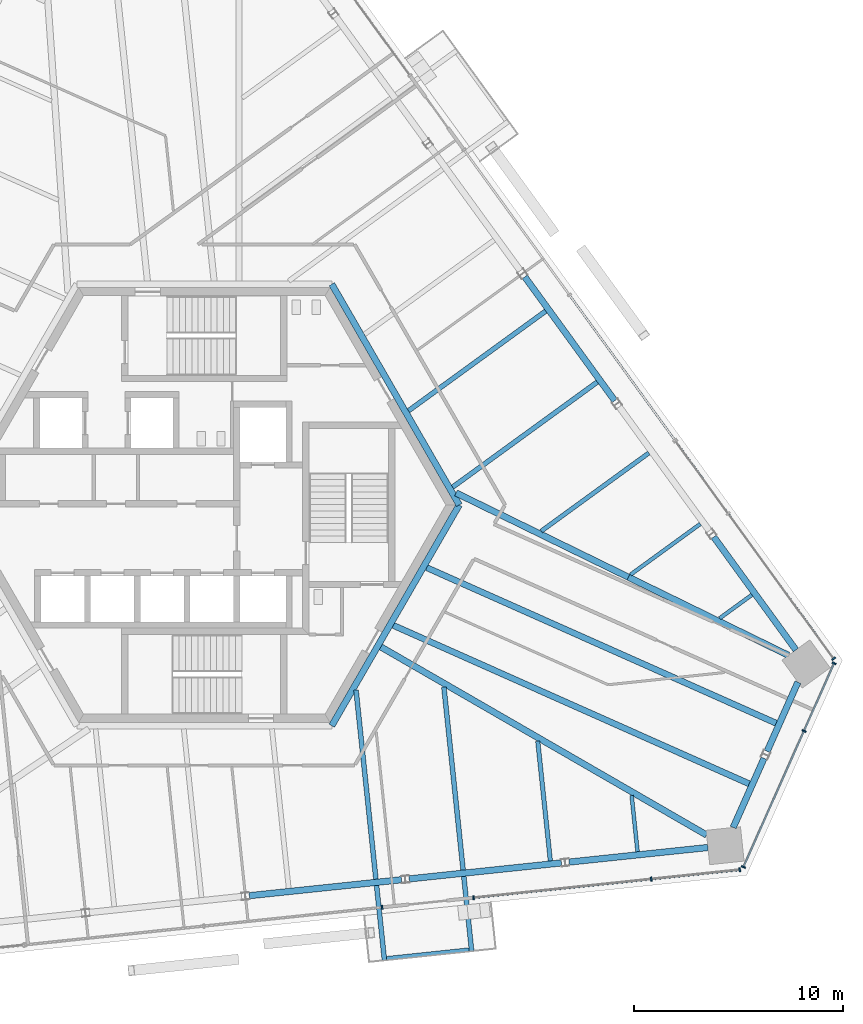
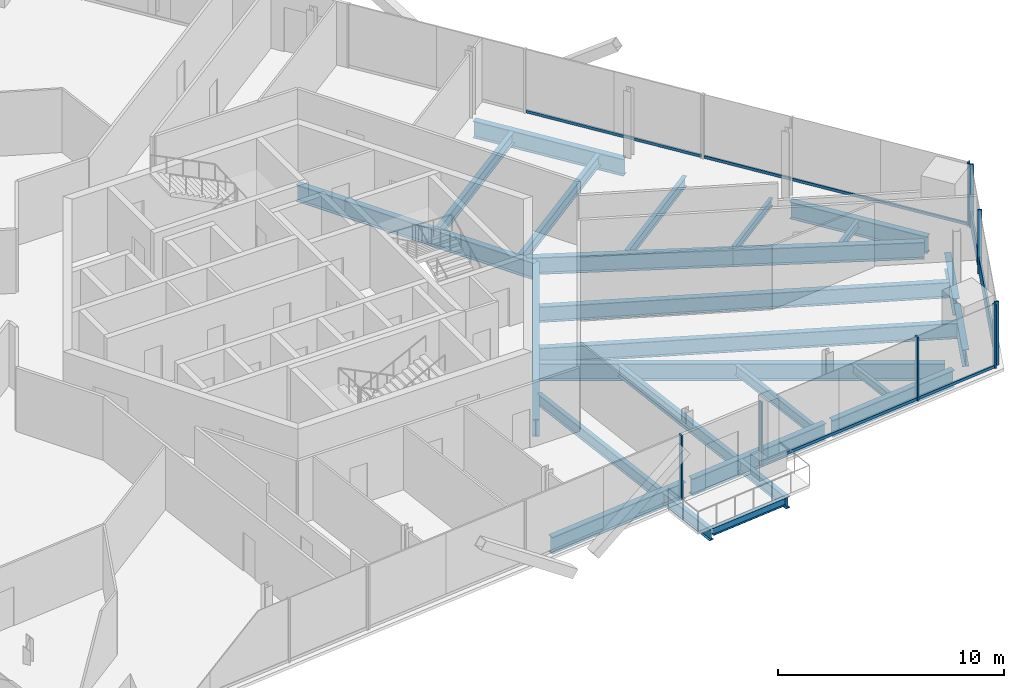
# One storey, part 6 of 18: 26 beams, 15 members, 5 elements without a shape of their own.
"""IFC4 building model written with IfcOpenShell, lengths in metres."""

from ifc_helpers import new_model, si_unit, direction, frame, origin, origin_2d, place, context, subcontext, project, spatial, rectangle, i_section, extrude, source, transform, mapped, material, material_profile, profile_set, type_object, element, aggregate, save


model = new_model("IFC4")

# Units and contexts
model_context = context("Model", 3, precision=1e-05, world=origin(), true_north=direction((0.0, 1.0)))
body_context = subcontext(model_context, "Body", "Model", "MODEL_VIEW")
ifc_project = project(units=[si_unit("LENGTHUNIT", "METRE"), si_unit("AREAUNIT", "SQUARE_METRE"), si_unit("VOLUMEUNIT", "CUBIC_METRE"), si_unit("PLANEANGLEUNIT", "RADIAN"), si_unit("MASSUNIT", "GRAM", prefix="KILO")], contexts=[model_context])

# Site, building, storey
site_placement = place(None, origin())
site = spatial("IfcSite", under=ifc_project, at=site_placement, CompositionType="ELEMENT")
building_placement = place(site_placement, origin())
building = spatial("IfcBuilding", under=site, at=building_placement, Name="Triune Harvest Tower", CompositionType="ELEMENT")
storey_placement = place(building_placement, frame((0.0, 0.0, 237.699951171875)))
storey = spatial("IfcBuildingStorey", under=building, at=storey_placement, Name="L62", CompositionType="ELEMENT", Elevation=237.699951171875)

# Beams
ifc_material_1 = material(Name="Steel ASTM A992 Gr 50", Category="steel")
ifc_material_profile_1 = material_profile(ifc_material_1, i_section(OverallWidth=0.180908203125, OverallDepth=0.41650390625, WebThickness=0.010986328125, FlangeThickness=0.01806640625, at=origin_2d()), Name="W16x57")
ifc_profile_set_1 = profile_set([ifc_material_profile_1], Name="Steel ASTM A992 Gr 50")
beam_type_1 = type_object("IfcBeamType", Name="BE-1 balcony edge beam W16x57", PredefinedType="BEAM", material=ifc_profile_set_1)
beam_1_placement = place(storey_placement, frame((8.708984375, -21.65576171875, -0.3681640625), z_axis=(0.994524692105, 0.104501850668, 0.0), x_axis=(-0.104501850668, 0.994524692105, 0.0)))
element("IfcBeam", 1, at=beam_1_placement, inside=storey, type_object=beam_type_1, Name="Balcony edge beam B6-F5 L62.8", PredefinedType="BEAM", context=body_context, shape_type="SweptSolid", body=[
    extrude(i_section(OverallWidth=0.180908203125, OverallDepth=0.41650390625, WebThickness=0.010986328125, FlangeThickness=0.01806640625, at=origin_2d()), origin(), (0.0, 0.0, 1.0), 3.9599609375),
])
ifc_material_2 = material(Name="Steel ASTM A992 Gr 50", Category="steel")
ifc_material_profile_2 = material_profile(ifc_material_2, i_section(OverallWidth=0.3046875, OverallDepth=0.914306640625, WebThickness=0.0166015625, FlangeThickness=0.02587890625, at=origin_2d()), Name="W36x160")
ifc_profile_set_2 = profile_set([ifc_material_profile_2], Name="Steel ASTM A992 Gr 50")
beam_type_2 = type_object("IfcBeamType", Name="CG-1 Core ring girder W36x160", PredefinedType="BEAM", material=ifc_profile_set_2)
shared_shape_1 = source(origin(), body_context, "Body", "SweptSolid", [
    extrude(i_section(OverallWidth=0.3046875, OverallDepth=0.914306640625, WebThickness=0.0166015625, FlangeThickness=0.02587890625, at=origin_2d()), origin(), (0.0, 0.0, 1.0), 12.176025390625),
])
for number, where, z_axis, x_axis, name in (
    (2, (12.176025390625, 0.0, -0.6171875), (-0.5000099932, 0.866019634131, 0.0), (-0.866019634131, -0.5000099932, 0.0), "beam/L62/CG1"),
    (3, (6.087890625, -10.544677734375, -0.6171875), (0.5000099932, 0.866019634131, 0.0), (-0.866019634131, 0.5000099932, 0.0), "beam/L62/CG6"),
):
    element("IfcBeam", number, at=place(storey_placement, frame(where, z_axis=z_axis, x_axis=x_axis)), inside=storey, type_object=beam_type_2, Name=name, PredefinedType="BEAM", context=body_context, shape_type="MappedRepresentation", body=[
        mapped(shared_shape_1, transform((0.0, 0.0, 0.0), scale=1.0)),
    ])
ifc_material_3 = material(Name="Steel ASTM A992 Gr 50", Category="steel")
ifc_material_profile_3 = material_profile(ifc_material_3, i_section(OverallWidth=0.3046875, OverallDepth=0.914306640625, WebThickness=0.0166015625, FlangeThickness=0.02587890625, at=origin_2d()), Name="W36x160")
ifc_profile_set_3 = profile_set([ifc_material_profile_3], Name="Steel ASTM A992 Gr 50")
beam_type_3 = type_object("IfcBeamType", Name="HG-3 Hip girder W36x160", PredefinedType="BEAM", material=ifc_profile_set_3)
shared_shape_2 = source(origin(), body_context, "Body", "SweptSolid", [
    extrude(i_section(OverallWidth=0.3046875, OverallDepth=0.914306640625, WebThickness=0.0166015625, FlangeThickness=0.02587890625, at=origin_2d()), origin(), (0.0, 0.0, 1.0), 9.168212890625),
])
beam_2_placement = place(storey_placement, frame((20.2587890625, -3.451171875, -0.6171875), z_axis=(-0.898521846145, 0.438928800605, 0.0), x_axis=(-0.438928800605, -0.898521846145, 0.0)))
element("IfcBeam", 4, at=beam_2_placement, inside=storey, type_object=beam_type_3, Name="beam/L62/HG2", PredefinedType="BEAM", context=body_context, shape_type="MappedRepresentation", body=[
    mapped(shared_shape_2, transform((0.0, 0.0, 0.0), scale=1.0)),
])
ifc_material_4 = material(Name="Steel ASTM A992 Gr 50", Category="steel")
ifc_material_profile_4 = material_profile(ifc_material_4, i_section(OverallWidth=0.3046875, OverallDepth=0.914306640625, WebThickness=0.0166015625, FlangeThickness=0.02587890625, at=origin_2d()), Name="W36x160")
ifc_profile_set_4 = profile_set([ifc_material_profile_4], Name="Steel ASTM A992 Gr 50")
beam_type_4 = type_object("IfcBeamType", Name="SB-1 Spandrel beam W36x160", PredefinedType="SPANDREL", material=ifc_profile_set_4)
shared_shape_3 = source(origin(), body_context, "Body", "SweptSolid", [
    extrude(i_section(OverallWidth=0.3046875, OverallDepth=0.914306640625, WebThickness=0.0166015625, FlangeThickness=0.02587890625, at=origin_2d()), origin(), (0.0, 0.0, 1.0), 6.67041015625),
])
for number, where, z_axis, x_axis, name in (
    (5, (28.256591796875, -6.927734375, -0.6171875), (-0.587797324645, 0.80900822316, 0.0), (-0.80900822316, -0.587797324645, 0.0), "beam/L62/SB1"),
    (6, (17.421630859375, -17.060302734375, -0.6171875), (0.994521485501, 0.104532362822, 0.0), (-0.104532362822, 0.994521485501, 0.0), "beam/L62/SB22"),
):
    element("IfcBeam", number, at=place(storey_placement, frame(where, z_axis=z_axis, x_axis=x_axis)), inside=storey, type_object=beam_type_4, Name=name, PredefinedType="SPANDREL", context=body_context, shape_type="MappedRepresentation", body=[
        mapped(shared_shape_3, transform((0.0, 0.0, 0.0), scale=1.0)),
    ])
shared_shape_4 = source(origin(), body_context, "Body", "SweptSolid", [
    extrude(i_section(OverallWidth=0.3046875, OverallDepth=0.914306640625, WebThickness=0.0166015625, FlangeThickness=0.02587890625, at=origin_2d()), origin(), (0.0, 0.0, 1.0), 7.31103515625),
])
for number, where, z_axis, x_axis, name in (
    (7, (19.60546875, 4.9794921875, -0.6171875), (-0.587786436325, 0.809016134124, 0.0), (-0.809016134124, -0.587786436325, 0.0), "beam/L62/SB3"),
    (8, (9.784423828125, -17.863037109375, -0.6171875), (0.994522639393, 0.104521384101, 0.0), (-0.104521384101, 0.994522639393, 0.0), "beam/L62/SB21"),
):
    element("IfcBeam", number, at=place(storey_placement, frame(where, z_axis=z_axis, x_axis=x_axis)), inside=storey, type_object=beam_type_4, Name=name, PredefinedType="SPANDREL", context=body_context, shape_type="MappedRepresentation", body=[
        mapped(shared_shape_4, transform((0.0, 0.0, 0.0), scale=1.0)),
    ])
shared_shape_5 = source(origin(), body_context, "Body", "SweptSolid", [
    extrude(i_section(OverallWidth=0.3046875, OverallDepth=0.914306640625, WebThickness=0.0166015625, FlangeThickness=0.02587890625, at=origin_2d()), origin(), (0.0, 0.0, 1.0), 3.614990234375),
])
beam_3_placement = place(storey_placement, frame((26.883544921875, -11.767822265625, -0.6171875), z_axis=(0.406758712736, 0.913535631277, 0.0), x_axis=(-0.913535631277, 0.406758712736, 0.0)))
element("IfcBeam", 9, at=beam_3_placement, inside=storey, type_object=beam_type_4, Name="beam/L62/SB24", PredefinedType="SPANDREL", context=body_context, shape_type="MappedRepresentation", body=[
    mapped(shared_shape_5, transform((0.0, 0.0, 0.0), scale=1.0)),
])
shared_shape_6 = source(origin(), body_context, "Body", "SweptSolid", [
    extrude(i_section(OverallWidth=0.3046875, OverallDepth=0.914306640625, WebThickness=0.0166015625, FlangeThickness=0.02587890625, at=origin_2d()), origin(), (0.0, 0.0, 1.0), 7.311279296875),
])
beam_4_placement = place(storey_placement, frame((2.14697265625, -18.665771484375, -0.6171875), z_axis=(0.994523004189, 0.104517913008, 0.0), x_axis=(-0.104517913008, 0.994523004189, 0.0)))
element("IfcBeam", 10, at=beam_4_placement, inside=storey, type_object=beam_type_4, Name="beam/L62/SB20", PredefinedType="SPANDREL", context=body_context, shape_type="MappedRepresentation", body=[
    mapped(shared_shape_6, transform((0.0, 0.0, 0.0), scale=1.0)),
])
shared_shape_7 = source(origin(), body_context, "Body", "SweptSolid", [
    extrude(i_section(OverallWidth=0.3046875, OverallDepth=0.914306640625, WebThickness=0.0166015625, FlangeThickness=0.02587890625, at=origin_2d()), origin(), (0.0, 0.0, 1.0), 3.61474609375),
])
beam_5_placement = place(storey_placement, frame((25.263427734375, -15.406494140625, -0.6171875), z_axis=(0.406783809082, 0.913524456525, 0.0), x_axis=(-0.913524456525, 0.406783809082, 0.0)))
element("IfcBeam", 11, at=beam_5_placement, inside=storey, type_object=beam_type_4, Name="beam/L62/SB23", PredefinedType="SPANDREL", context=body_context, shape_type="MappedRepresentation", body=[
    mapped(shared_shape_7, transform((0.0, 0.0, 0.0), scale=1.0)),
])
shared_shape_8 = source(origin(), body_context, "Body", "SweptSolid", [
    extrude(i_section(OverallWidth=0.3046875, OverallDepth=0.914306640625, WebThickness=0.0166015625, FlangeThickness=0.02587890625, at=origin_2d()), origin(), (0.0, 0.0, 1.0), 8.506591796875),
])
beam_6_placement = place(storey_placement, frame((27.902099609375, -7.18505859375, -0.6171875), z_axis=(-0.898516187924, 0.43894038324, 0.0), x_axis=(-0.43894038324, -0.898516187924, 0.0)))
element("IfcBeam", 12, at=beam_6_placement, inside=storey, type_object=beam_type_3, Name="beam/L62/HG1", PredefinedType="BEAM", context=body_context, shape_type="MappedRepresentation", body=[
    mapped(shared_shape_8, transform((0.0, 0.0, 0.0), scale=1.0)),
])
shared_shape_9 = source(origin(), body_context, "Body", "SweptSolid", [
    extrude(i_section(OverallWidth=0.3046875, OverallDepth=0.914306640625, WebThickness=0.0166015625, FlangeThickness=0.02587890625, at=origin_2d()), origin(), (0.0, 0.0, 1.0), 17.96484375),
])
beam_7_placement = place(storey_placement, frame((23.992919921875, -15.766845703125, -0.6171875), z_axis=(-0.866026717539, 0.499997724503, 0.0), x_axis=(-0.499997724503, -0.866026717539, 0.0)))
element("IfcBeam", 13, at=beam_7_placement, inside=storey, type_object=beam_type_3, Name="beam/L62/HG10", PredefinedType="BEAM", context=body_context, shape_type="MappedRepresentation", body=[
    mapped(shared_shape_9, transform((0.0, 0.0, 0.0), scale=1.0)),
])
ifc_material_5 = material(Name="Steel ASTM A992 Gr 50", Category="steel")
ifc_material_profile_5 = material_profile(ifc_material_5, i_section(OverallWidth=0.180908203125, OverallDepth=0.41650390625, WebThickness=0.010986328125, FlangeThickness=0.01806640625, at=origin_2d()), Name="W16x57")
ifc_profile_set_5 = profile_set([ifc_material_profile_5], Name="Steel ASTM A992 Gr 50")
beam_type_5 = type_object("IfcBeamType", Name="JT-1 Floor joist W16x57", PredefinedType="JOIST", material=ifc_profile_set_5)
shared_shape_10 = source(origin(), body_context, "Body", "SweptSolid", [
    extrude(i_section(OverallWidth=0.180908203125, OverallDepth=0.41650390625, WebThickness=0.010986328125, FlangeThickness=0.01806640625, at=origin_2d()), origin(), (0.0, 0.0, 1.0), 1.89892578125),
])
beam_8_placement = place(storey_placement, frame((26.156005859375, -4.2958984375, -0.3681640625), z_axis=(-0.808980650343, -0.587835272309, 0.0), x_axis=(0.587835272309, -0.808980650343, 0.0)))
element("IfcBeam", 14, at=beam_8_placement, inside=storey, type_object=beam_type_5, Name="beam/L62/JT1", PredefinedType="JOIST", context=body_context, shape_type="MappedRepresentation", body=[
    mapped(shared_shape_10, transform((0.0, 0.0, 0.0), scale=1.0)),
])
shared_shape_11 = source(origin(), body_context, "Body", "SweptSolid", [
    extrude(i_section(OverallWidth=0.180908203125, OverallDepth=0.41650390625, WebThickness=0.010986328125, FlangeThickness=0.01806640625, at=origin_2d()), origin(), (0.0, 0.0, 1.0), 4.122802734375),
])
beam_9_placement = place(storey_placement, frame((23.69384765625, -0.906982421875, -0.3681640625), z_axis=(-0.809017670691, -0.587784321423, 0.0), x_axis=(0.587784321423, -0.809017670691, 0.0)))
element("IfcBeam", 15, at=beam_9_placement, inside=storey, type_object=beam_type_5, Name="beam/L62/JT2", PredefinedType="JOIST", context=body_context, shape_type="MappedRepresentation", body=[
    mapped(shared_shape_11, transform((0.0, 0.0, 0.0), scale=1.0)),
])
ifc_material_6 = material(Name="Steel ASTM A992 Gr 50", Category="steel")
ifc_material_profile_6 = material_profile(ifc_material_6, i_section(OverallWidth=0.2099609375, OverallDepth=0.535888671875, WebThickness=0.010986328125, FlangeThickness=0.017333984375, at=origin_2d()), Name="W21x68")
ifc_profile_set_6 = profile_set([ifc_material_profile_6], Name="Steel ASTM A992 Gr 50")
beam_type_6 = type_object("IfcBeamType", Name="JT-2 Floor joist W21x68", PredefinedType="JOIST", material=ifc_profile_set_6)
shared_shape_12 = source(origin(), body_context, "Body", "SweptSolid", [
    extrude(i_section(OverallWidth=0.2099609375, OverallDepth=0.535888671875, WebThickness=0.010986328125, FlangeThickness=0.017333984375, at=origin_2d()), origin(), (0.0, 0.0, 1.0), 6.346435546875),
])
beam_10_placement = place(storey_placement, frame((21.231689453125, 2.481689453125, -0.427978515625), z_axis=(-0.809002165091, -0.58780566251, 0.0), x_axis=(0.58780566251, -0.809002165091, 0.0)))
element("IfcBeam", 16, at=beam_10_placement, inside=storey, type_object=beam_type_6, Name="beam/L62/JT3", PredefinedType="JOIST", context=body_context, shape_type="MappedRepresentation", body=[
    mapped(shared_shape_12, transform((0.0, 0.0, 0.0), scale=1.0)),
])
ifc_material_7 = material(Name="Steel ASTM A992 Gr 50", Category="steel")
ifc_material_profile_7 = material_profile(ifc_material_7, i_section(OverallWidth=0.22900390625, OverallDepth=0.612060546875, WebThickness=0.011962890625, FlangeThickness=0.01953125, at=origin_2d()), Name="W24x84")
ifc_profile_set_7 = profile_set([ifc_material_profile_7], Name="Steel ASTM A992 Gr 50")
beam_type_7 = type_object("IfcBeamType", Name="JT-3 Floor joist W24x84", PredefinedType="JOIST", material=ifc_profile_set_7)
shared_shape_13 = source(origin(), body_context, "Body", "SweptSolid", [
    extrude(i_section(OverallWidth=0.22900390625, OverallDepth=0.612060546875, WebThickness=0.011962890625, FlangeThickness=0.01953125, at=origin_2d()), origin(), (0.0, 0.0, 1.0), 8.540283203125),
])
beam_11_placement = place(storey_placement, frame((18.769775390625, 5.87060546875, -0.466064453125), z_axis=(-0.809019081634, -0.587782379416, 0.0), x_axis=(0.587782379416, -0.809019081634, 0.0)))
element("IfcBeam", 17, at=beam_11_placement, inside=storey, type_object=beam_type_7, Name="beam/L62/JT4", PredefinedType="JOIST", context=body_context, shape_type="MappedRepresentation", body=[
    mapped(shared_shape_13, transform((0.0, 0.0, 0.0), scale=1.0)),
])
shared_shape_14 = source(origin(), body_context, "Body", "SweptSolid", [
    extrude(i_section(OverallWidth=0.22900390625, OverallDepth=0.612060546875, WebThickness=0.011962890625, FlangeThickness=0.01953125, at=origin_2d()), origin(), (0.0, 0.0, 1.0), 8.099609375),
])
beam_12_placement = place(storey_placement, frame((16.3076171875, 9.25927734375, -0.466064453125), z_axis=(-0.809022748574, -0.587777332235, 0.0), x_axis=(0.587777332235, -0.809022748574, 0.0)))
element("IfcBeam", 18, at=beam_12_placement, inside=storey, type_object=beam_type_7, Name="beam/L62/JT5", PredefinedType="JOIST", context=body_context, shape_type="MappedRepresentation", body=[
    mapped(shared_shape_14, transform((0.0, 0.0, 0.0), scale=1.0)),
])
shared_shape_15 = source(origin(), body_context, "Body", "SweptSolid", [
    extrude(i_section(OverallWidth=0.22900390625, OverallDepth=0.612060546875, WebThickness=0.011962890625, FlangeThickness=0.01953125, at=origin_2d()), origin(), (0.0, 0.0, 1.0), 9.084716796875),
])
beam_13_placement = place(storey_placement, frame((8.19677734375, -17.876708984375, -0.466064453125), z_axis=(-0.104539296445, 0.994520756696, 0.0), x_axis=(-0.994520756696, -0.104539296445, 0.0)))
element("IfcBeam", 19, at=beam_13_placement, inside=storey, type_object=beam_type_7, Name="beam/L62/JT31", PredefinedType="JOIST", context=body_context, shape_type="MappedRepresentation", body=[
    mapped(shared_shape_15, transform((0.0, 0.0, 0.0), scale=1.0)),
])
shared_shape_16 = source(origin(), body_context, "Body", "SweptSolid", [
    extrude(i_section(OverallWidth=0.2099609375, OverallDepth=0.535888671875, WebThickness=0.010986328125, FlangeThickness=0.017333984375, at=origin_2d()), origin(), (0.0, 0.0, 1.0), 5.745849609375),
])
beam_14_placement = place(storey_placement, frame((16.5283203125, -17.0009765625, -0.427978515625), z_axis=(-0.104525532782, 0.99452220337, 0.0), x_axis=(-0.99452220337, -0.104525532782, 0.0)))
element("IfcBeam", 20, at=beam_14_placement, inside=storey, type_object=beam_type_6, Name="beam/L62/JT33", PredefinedType="JOIST", context=body_context, shape_type="MappedRepresentation", body=[
    mapped(shared_shape_16, transform((0.0, 0.0, 0.0), scale=1.0)),
])
shared_shape_17 = source(origin(), body_context, "Body", "SweptSolid", [
    extrude(i_section(OverallWidth=0.180908203125, OverallDepth=0.41650390625, WebThickness=0.010986328125, FlangeThickness=0.01806640625, at=origin_2d()), origin(), (0.0, 0.0, 1.0), 2.70263671875),
])
beam_15_placement = place(storey_placement, frame((20.694091796875, -16.56298828125, -0.3681640625), z_axis=(-0.104520196043, 0.994522764254, 0.0), x_axis=(-0.994522764254, -0.104520196043, 0.0)))
element("IfcBeam", 21, at=beam_15_placement, inside=storey, type_object=beam_type_5, Name="beam/L62/JT34", PredefinedType="JOIST", context=body_context, shape_type="MappedRepresentation", body=[
    mapped(shared_shape_17, transform((0.0, 0.0, 0.0), scale=1.0)),
])
ifc_material_8 = material(Name="Steel ASTM A992 Gr 50", Category="steel")
ifc_material_profile_8 = material_profile(ifc_material_8, i_section(OverallWidth=0.2919921875, OverallDepth=0.8408203125, WebThickness=0.0146484375, FlangeThickness=0.021728515625, at=origin_2d()), Name="W33x130")
ifc_profile_set_8 = profile_set([ifc_material_profile_8], Name="Steel ASTM A992 Gr 50")
beam_type_8 = type_object("IfcBeamType", Name="JT-6 Floor joist W33x130", PredefinedType="JOIST", material=ifc_profile_set_8)
shared_shape_18 = source(origin(), body_context, "Body", "SweptSolid", [
    extrude(i_section(OverallWidth=0.2919921875, OverallDepth=0.8408203125, WebThickness=0.0146484375, FlangeThickness=0.021728515625, at=origin_2d()), origin(), (0.0, 0.0, 1.0), 18.60400390625),
])
beam_16_placement = place(storey_placement, frame((26.025390625, -13.32080078125, -0.580322265625), z_axis=(-0.913546187597, 0.406735003568, 0.0), x_axis=(-0.406735003568, -0.913546187597, 0.0)))
element("IfcBeam", 22, at=beam_16_placement, inside=storey, type_object=beam_type_8, Name="beam/L62/JT35", PredefinedType="JOIST", context=body_context, shape_type="MappedRepresentation", body=[
    mapped(shared_shape_18, transform((0.0, 0.0, 0.0), scale=1.0)),
])
shared_shape_19 = source(origin(), body_context, "Body", "SweptSolid", [
    extrude(i_section(OverallWidth=0.22900390625, OverallDepth=0.612060546875, WebThickness=0.011962890625, FlangeThickness=0.01953125, at=origin_2d()), origin(), (0.0, 0.0, 1.0), 8.7890625),
])
beam_17_placement = place(storey_placement, frame((12.362548828125, -17.438720703125, -0.466064453125), z_axis=(-0.104527173764, 0.9945220309, 0.0), x_axis=(-0.9945220309, -0.104527173764, 0.0)))
element("IfcBeam", 23, at=beam_17_placement, inside=storey, type_object=beam_type_7, Name="beam/L62/JT32", PredefinedType="JOIST", context=body_context, shape_type="MappedRepresentation", body=[
    mapped(shared_shape_19, transform((0.0, 0.0, 0.0), scale=1.0)),
])
shared_shape_20 = source(origin(), body_context, "Body", "SweptSolid", [
    extrude(i_section(OverallWidth=0.2919921875, OverallDepth=0.8408203125, WebThickness=0.0146484375, FlangeThickness=0.021728515625, at=origin_2d()), origin(), (0.0, 0.0, 1.0), 18.270751953125),
])
beam_18_placement = place(storey_placement, frame((27.313720703125, -10.427001953125, -0.580322265625), z_axis=(-0.913545207047, 0.406737205922, 0.0), x_axis=(-0.406737205922, -0.913545207047, 0.0)))
element("IfcBeam", 24, at=beam_18_placement, inside=storey, type_object=beam_type_8, Name="beam/L62/JT36", PredefinedType="JOIST", context=body_context, shape_type="MappedRepresentation", body=[
    mapped(shared_shape_20, transform((0.0, 0.0, 0.0), scale=1.0)),
])

# Curtain wall, members
ifc_material_9 = material(Name="Aluminium bronze anodised", Category="aluminium")
curtain_wall_type_1 = type_object("IfcCurtainWallType", Name="CW-1 Tower stick curtain wall", PredefinedType="NOTDEFINED", material=ifc_material_9)
curtain_wall_1_placement = place(storey_placement, origin())
curtain_wall_1 = element("IfcCurtainWall", 25, at=curtain_wall_1_placement, inside=storey, type_object=curtain_wall_type_1, Name="CW-1 B6-F6 L62 run 1")
ifc_material_10 = material(Name="Aluminium bronze anodised", Category="aluminium")
ifc_material_profile_9 = material_profile(ifc_material_10, rectangle(XDim=0.199951171875, YDim=0.074951171875, at=origin_2d()), Name="MU-1 mullion 75 x 200")
ifc_profile_set_9 = profile_set([ifc_material_profile_9], Name="Aluminium bronze anodised")
member_type_1 = type_object("IfcMemberType", Name="MU-1 mullion 75 x 200", PredefinedType="MULLION", material=ifc_profile_set_9)
shared_shape_21 = source(origin(), body_context, "Body", "SweptSolid", [
    extrude(rectangle(XDim=0.199951171875, YDim=0.074951171875, at=origin_2d()), origin(), (0.0, 0.0, 1.0), 3.43994140625),
])
member_1_placement = place(storey_placement, frame((25.7529296875, -17.2958984375, 0.0), z_axis=(0.0, 0.0, 1.0), x_axis=(-0.913542531121, 0.406743216086, 0.0)))
member_1 = element("IfcMember", 26, at=member_1_placement, type_object=member_type_1, Name="CW-1 mullion B6-F6 1.1", PredefinedType="MULLION", context=body_context, shape_type="MappedRepresentation", body=[
    mapped(shared_shape_21, transform((0.0, 0.0, 0.0), scale=1.0)),
])
member_2_placement = place(storey_placement, frame((28.646240234375, -10.797119140625, 0.0), z_axis=(0.0, 0.0, 1.0), x_axis=(-0.913542531121, 0.406743216086, 0.0)))
member_2 = element("IfcMember", 27, at=member_2_placement, type_object=member_type_1, Name="CW-1 mullion B6-F6 1.3", PredefinedType="MULLION", context=body_context, shape_type="MappedRepresentation", body=[
    mapped(shared_shape_21, transform((0.0, 0.0, 0.0), scale=1.0)),
])
member_3_placement = place(storey_placement, frame((30.08544921875, -7.56494140625, 0.0), z_axis=(0.0, 0.0, 1.0), x_axis=(-0.913542531121, 0.406743216086, 0.0)))
member_3 = element("IfcMember", 28, at=member_3_placement, type_object=member_type_1, Name="CW-1 mullion B6-F6 1.4", PredefinedType="MULLION", context=body_context, shape_type="MappedRepresentation", body=[
    mapped(shared_shape_21, transform((0.0, 0.0, 0.0), scale=1.0)),
])

# Curtain wall, member
ifc_material_11 = material(Name="Aluminium bronze anodised", Category="aluminium")
curtain_wall_type_2 = type_object("IfcCurtainWallType", Name="CW-6 Balcony window wall", PredefinedType="NOTDEFINED", material=ifc_material_11)
curtain_wall_2_placement = place(storey_placement, origin())
curtain_wall_2 = element("IfcCurtainWall", 29, at=curtain_wall_2_placement, inside=storey, type_object=curtain_wall_type_2, Name="CW-6 B6-F1 L62 run 1")
ifc_material_12 = material(Name="Aluminium bronze anodised", Category="aluminium")
ifc_material_profile_10 = material_profile(ifc_material_12, rectangle(XDim=0.199951171875, YDim=0.074951171875, at=origin_2d()), Name="MU-6 mullion 75 x 200")
ifc_profile_set_10 = profile_set([ifc_material_profile_10], Name="Aluminium bronze anodised")
member_type_2 = type_object("IfcMemberType", Name="MU-6 mullion 75 x 200", PredefinedType="MULLION", material=ifc_profile_set_10)
shared_shape_22 = source(origin(), body_context, "Body", "SweptSolid", [
    extrude(rectangle(XDim=0.199951171875, YDim=0.074951171875, at=origin_2d()), origin(), (0.0, 0.0, 1.0), 3.43994140625),
])
member_4_placement = place(storey_placement, frame((30.062255859375, -7.34521484375, 0.0), z_axis=(0.0, 0.0, 1.0), x_axis=(-0.809015388646, -0.587787462383, 0.0)))
member_4 = element("IfcMember", 30, at=member_4_placement, type_object=member_type_2, Name="CW-6 mullion B6-F1 1.1", PredefinedType="MULLION", context=body_context, shape_type="MappedRepresentation", body=[
    mapped(shared_shape_22, transform((0.0, 0.0, 0.0), scale=1.0)),
])

ifc_material_13 = material(Name="Aluminium bronze anodised", Category="aluminium")
curtain_wall_type_3 = type_object("IfcCurtainWallType", Name="CW-10 Balcony window wall with insulated spandrel infill", PredefinedType="NOTDEFINED", material=ifc_material_13)
curtain_wall_3_placement = place(storey_placement, origin())
curtain_wall_3 = element("IfcCurtainWall", 31, at=curtain_wall_3_placement, inside=storey, type_object=curtain_wall_type_3, Name="CW-10 B6-F5 L62 run 1001")
member_5_placement = place(storey_placement, frame((8.49267578125, -19.220947265625, 0.0), z_axis=(0.0, 0.0, 1.0), x_axis=(-0.104532925076, 0.994521426403, 0.0)))
member_5 = element("IfcMember", 32, at=member_5_placement, type_object=member_type_2, Name="CW-10 mullion B6-F5 1001.5", PredefinedType="MULLION", context=body_context, shape_type="MappedRepresentation", body=[
    mapped(shared_shape_22, transform((0.0, 0.0, 0.0), scale=1.0)),
])
aggregate(curtain_wall_3, [member_5])

# Curtain wall, members
curtain_wall_4_placement = place(storey_placement, origin())
curtain_wall_4 = element("IfcCurtainWall", 33, at=curtain_wall_4_placement, inside=storey, type_object=curtain_wall_type_2, Name="CW-6 B6-F5 L62 run 2")
member_6_placement = place(storey_placement, frame((12.860107421875, -18.761962890625, 0.0), z_axis=(0.0, 0.0, 1.0), x_axis=(-0.104529869379, 0.994521747579, 0.0)))
member_6 = element("IfcMember", 34, at=member_6_placement, type_object=member_type_2, Name="CW-6 mullion B6-F5 2.1", PredefinedType="MULLION", context=body_context, shape_type="MappedRepresentation", body=[
    mapped(shared_shape_22, transform((0.0, 0.0, 0.0), scale=1.0)),
])
member_7_placement = place(storey_placement, frame((21.3486328125, -17.869873046875, 0.0), z_axis=(0.0, 0.0, 1.0), x_axis=(-0.104529869379, 0.994521747579, 0.0)))
member_7 = element("IfcMember", 35, at=member_7_placement, type_object=member_type_2, Name="CW-6 mullion B6-F5 2.3", PredefinedType="MULLION", context=body_context, shape_type="MappedRepresentation", body=[
    mapped(shared_shape_22, transform((0.0, 0.0, 0.0), scale=1.0)),
])
member_8_placement = place(storey_placement, frame((25.57421875, -17.425537109375, 0.0), z_axis=(0.0, 0.0, 1.0), x_axis=(-0.104529869379, 0.994521747579, 0.0)))
member_8 = element("IfcMember", 36, at=member_8_placement, type_object=member_type_2, Name="CW-6 mullion B6-F5 2.4", PredefinedType="MULLION", context=body_context, shape_type="MappedRepresentation", body=[
    mapped(shared_shape_22, transform((0.0, 0.0, 0.0), scale=1.0)),
])

# Beams
ifc_material_14 = material(Name="Steel ASTM A992 Gr 50", Category="steel")
ifc_material_profile_11 = material_profile(ifc_material_14, i_section(OverallWidth=0.22900390625, OverallDepth=0.612060546875, WebThickness=0.011962890625, FlangeThickness=0.01953125, at=origin_2d()), Name="W24x84")
ifc_profile_set_11 = profile_set([ifc_material_profile_11], Name="Steel ASTM A992 Gr 50")
beam_type_9 = type_object("IfcBeamType", Name="BJ-3 Balcony cantilever joist W24x84", PredefinedType="JOIST", material=ifc_profile_set_11)
shared_shape_23 = source(origin(), body_context, "Body", "SweptSolid", [
    extrude(i_section(OverallWidth=0.22900390625, OverallDepth=0.612060546875, WebThickness=0.011962890625, FlangeThickness=0.01953125, at=origin_2d()), origin(), (0.0, 0.0, 1.0), 3.59765625),
])
beam_19_placement = place(storey_placement, frame((12.39453125, -17.741943359375, -0.466064453125), z_axis=(0.104508154604, -0.994524029685, 0.0), x_axis=(0.994524029685, 0.104508154604, 0.0)))
element("IfcBeam", 37, at=beam_19_placement, inside=storey, type_object=beam_type_9, Name="Balcony cantilever joist B6-F5 L62.8a", PredefinedType="JOIST", context=body_context, shape_type="MappedRepresentation", body=[
    mapped(shared_shape_23, transform((0.0, 0.0, 0.0), scale=1.0)),
])
shared_shape_24 = source(origin(), body_context, "Body", "SweptSolid", [
    extrude(i_section(OverallWidth=0.22900390625, OverallDepth=0.612060546875, WebThickness=0.011962890625, FlangeThickness=0.01953125, at=origin_2d()), origin(), (0.0, 0.0, 1.0), 3.597900390625),
])
beam_20_placement = place(storey_placement, frame((8.228515625, -18.1796875, -0.466064453125), z_axis=(0.104501101735, -0.994524770801, 0.0), x_axis=(0.994524770801, 0.104501101735, 0.0)))
element("IfcBeam", 38, at=beam_20_placement, inside=storey, type_object=beam_type_9, Name="Balcony cantilever joist B6-F5 L62.8b", PredefinedType="JOIST", context=body_context, shape_type="MappedRepresentation", body=[
    mapped(shared_shape_24, transform((0.0, 0.0, 0.0), scale=1.0)),
])

# Member
ifc_material_15 = material(Name="Aluminium bronze anodised", Category="aluminium")
ifc_material_profile_12 = material_profile(ifc_material_15, rectangle(XDim=0.090087890625, YDim=0.89990234375, at=origin_2d()), Name="TR-1 transom 90 x 900")
ifc_profile_set_12 = profile_set([ifc_material_profile_12], Name="Aluminium bronze anodised")
member_type_3 = type_object("IfcMemberType", Name="TR-1 transom 90 x 900", PredefinedType="USERDEFINED", material=ifc_profile_set_12)
shared_shape_25 = source(origin(), body_context, "Body", "SweptSolid", [
    extrude(rectangle(XDim=0.090087890625, YDim=0.89990234375, at=origin_2d()), origin(), (0.0, 0.0, 1.0), 7.038818359375),
])
member_9_placement = place(storey_placement, frame((25.76806640625, -17.261474609375, 0.449951171875), z_axis=(0.406753052694, 0.913538151433, 0.0), x_axis=(-0.913538151433, 0.406753052694, 0.0)))
member_9 = element("IfcMember", 39, at=member_9_placement, type_object=member_type_3, Name="CW-1 transom B6-F6 1.1", ObjectType="TRANSOM", PredefinedType="USERDEFINED", context=body_context, shape_type="MappedRepresentation", body=[
    mapped(shared_shape_25, transform((0.0, 0.0, 0.0), scale=1.0)),
])

shared_shape_26 = source(origin(), body_context, "Body", "SweptSolid", [
    extrude(rectangle(XDim=0.090087890625, YDim=0.89990234375, at=origin_2d()), origin(), (0.0, 0.0, 1.0), 3.463134765625),
])
member_10_placement = place(storey_placement, frame((28.66162109375, -10.762939453125, 0.449951171875), z_axis=(0.406694368517, 0.913564278317, 0.0), x_axis=(-0.913564278317, 0.406694368517, 0.0)))
member_10 = element("IfcMember", 40, at=member_10_placement, type_object=member_type_3, Name="CW-1 transom B6-F6 1.2", ObjectType="TRANSOM", PredefinedType="USERDEFINED", context=body_context, shape_type="MappedRepresentation", body=[
    mapped(shared_shape_26, transform((0.0, 0.0, 0.0), scale=1.0)),
])

aggregate(curtain_wall_1, [member_1, member_2, member_3, member_9, member_10])

ifc_material_16 = material(Name="Aluminium bronze anodised", Category="aluminium")
ifc_material_profile_13 = material_profile(ifc_material_16, rectangle(XDim=0.090087890625, YDim=0.14990234375, at=origin_2d()), Name="TR-6 transom 90 x 150")
ifc_profile_set_13 = profile_set([ifc_material_profile_13], Name="Aluminium bronze anodised")
member_type_4 = type_object("IfcMemberType", Name="TR-6 transom 90 x 150", PredefinedType="USERDEFINED", material=ifc_profile_set_13)
shared_shape_27 = source(origin(), body_context, "Body", "SweptSolid", [
    extrude(rectangle(XDim=0.090087890625, YDim=0.14990234375, at=origin_2d()), origin(), (0.0, 0.0, 1.0), 8.460205078125),
])
member_11_placement = place(storey_placement, frame((12.8974609375, -18.758056640625, 0.074951171875), z_axis=(0.994522517115, 0.104522547572, 0.0), x_axis=(-0.104522547572, 0.994522517115, 0.0)))
member_11 = element("IfcMember", 41, at=member_11_placement, type_object=member_type_4, Name="CW-6 transom B6-F5 2.1", ObjectType="TRANSOM", PredefinedType="USERDEFINED", context=body_context, shape_type="MappedRepresentation", body=[
    mapped(shared_shape_27, transform((0.0, 0.0, 0.0), scale=1.0)),
])

shared_shape_28 = source(origin(), body_context, "Body", "SweptSolid", [
    extrude(rectangle(XDim=0.090087890625, YDim=0.14990234375, at=origin_2d()), origin(), (0.0, 0.0, 1.0), 4.173828125),
])
member_12_placement = place(storey_placement, frame((21.385986328125, -17.86572265625, 0.074951171875), z_axis=(0.994521787177, 0.104529492629, 0.0), x_axis=(-0.104529492629, 0.994521787177, 0.0)))
member_12 = element("IfcMember", 42, at=member_12_placement, type_object=member_type_4, Name="CW-6 transom B6-F5 2.2", ObjectType="TRANSOM", PredefinedType="USERDEFINED", context=body_context, shape_type="MappedRepresentation", body=[
    mapped(shared_shape_28, transform((0.0, 0.0, 0.0), scale=1.0)),
])

aggregate(curtain_wall_4, [member_6, member_7, member_8, member_11, member_12])

shared_shape_29 = source(origin(), body_context, "Body", "SweptSolid", [
    extrude(rectangle(XDim=0.090087890625, YDim=0.14990234375, at=origin_2d()), origin(), (0.0, 0.0, 1.0), 8.49462890625),
])
member_13_placement = place(storey_placement, frame((30.040283203125, -7.31494140625, 0.074951171875), z_axis=(-0.587776869662, 0.809023084646, 0.0), x_axis=(-0.809023084646, -0.587776869662, 0.0)))
member_13 = element("IfcMember", 43, at=member_13_placement, type_object=member_type_4, Name="CW-6 transom B6-F1 1.1", ObjectType="TRANSOM", PredefinedType="USERDEFINED", context=body_context, shape_type="MappedRepresentation", body=[
    mapped(shared_shape_29, transform((0.0, 0.0, 0.0), scale=1.0)),
])

# Curtain wall, member
curtain_wall_5_placement = place(storey_placement, origin())
curtain_wall_5 = element("IfcCurtainWall", 44, at=curtain_wall_5_placement, inside=storey, type_object=curtain_wall_type_3, Name="CW-10 B6-F1 L62 run 1001")
member_14_placement = place(storey_placement, frame((22.45166015625, 3.1298828125, 0.074951171875), z_axis=(-0.587776869662, 0.809023084646, 0.0), x_axis=(-0.809023084646, -0.587776869662, 0.0)))
member_14 = element("IfcMember", 45, at=member_14_placement, type_object=member_type_4, Name="CW-10 transom B6-F1 1001.1", ObjectType="TRANSOM", PredefinedType="USERDEFINED", context=body_context, shape_type="MappedRepresentation", body=[
    mapped(shared_shape_29, transform((0.0, 0.0, 0.0), scale=1.0)),
])
aggregate(curtain_wall_5, [member_14])

# Member
shared_shape_30 = source(origin(), body_context, "Body", "SweptSolid", [
    extrude(rectangle(XDim=0.090087890625, YDim=0.14990234375, at=origin_2d()), origin(), (0.0, 0.0, 1.0), 4.19091796875),
])
member_15_placement = place(storey_placement, frame((25.003173828125, -0.382080078125, 0.074951171875), z_axis=(-0.58777676401, 0.809023161405, 0.0), x_axis=(-0.809023161405, -0.58777676401, 0.0)))
member_15 = element("IfcMember", 46, at=member_15_placement, type_object=member_type_4, Name="CW-6 transom B6-F1 1.2", ObjectType="TRANSOM", PredefinedType="USERDEFINED", context=body_context, shape_type="MappedRepresentation", body=[
    mapped(shared_shape_30, transform((0.0, 0.0, 0.0), scale=1.0)),
])

aggregate(curtain_wall_2, [member_4, member_13, member_15])

save(model, "model.ifc")
